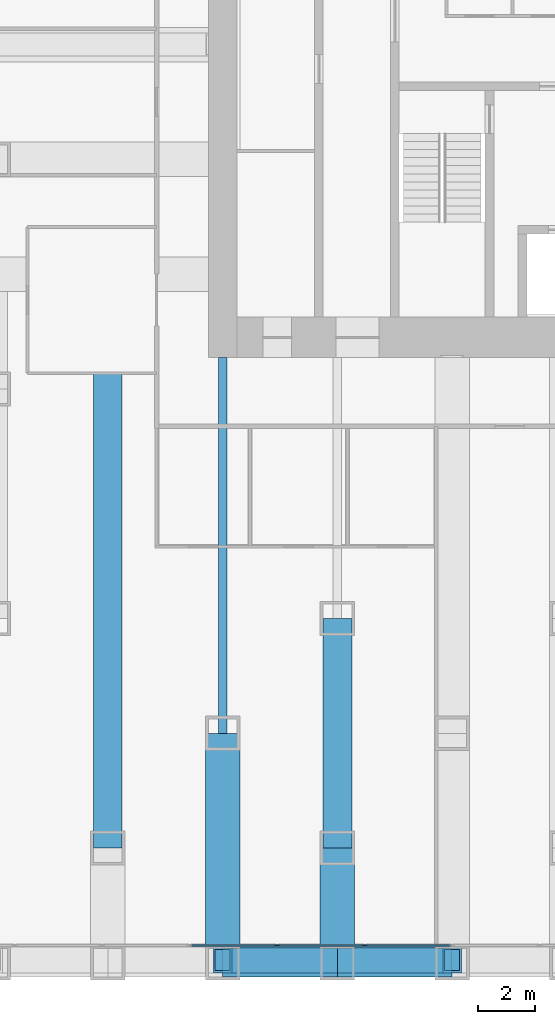
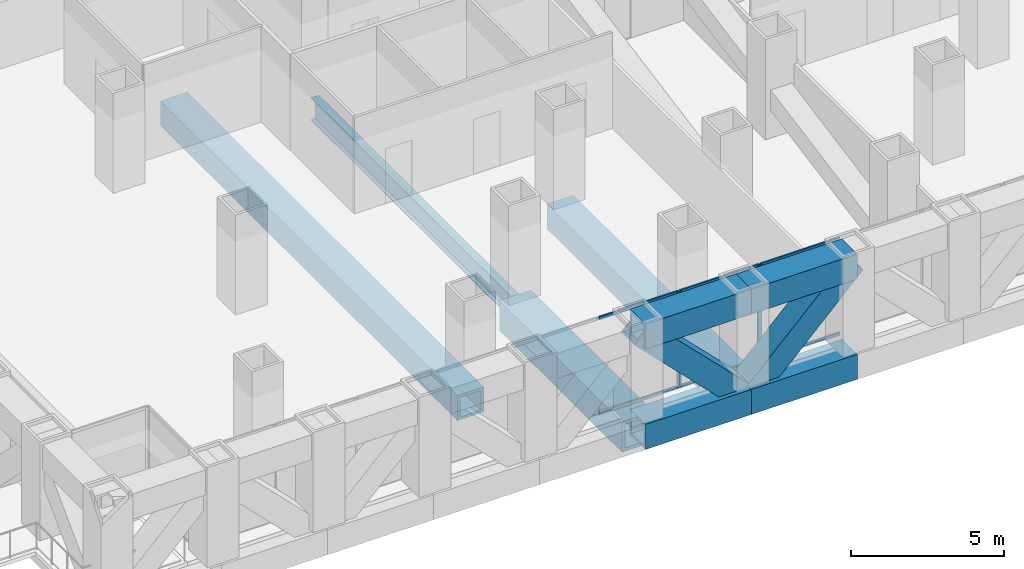
# One storey, part 3 of 18: 10 members, 9 beams, 1 element without a shape of its own.
"""IFC4 building model written with IfcOpenShell, lengths in metres."""

from ifc_helpers import new_model, si_unit, direction, frame, origin, origin_2d, place, context, subcontext, project, spatial, rectangle, hollow_rectangle, i_section, extrude, material, material_profile, profile_set, type_object, element, aggregate, save


model = new_model("IFC4")

# Units and contexts
model_context = context("Model", 3, precision=1e-05, world=origin(), true_north=direction((0.0, 1.0)))
body_context = subcontext(model_context, "Body", "Model", "MODEL_VIEW")
ifc_project = project(units=[si_unit("LENGTHUNIT", "METRE"), si_unit("AREAUNIT", "SQUARE_METRE"), si_unit("VOLUMEUNIT", "CUBIC_METRE"), si_unit("PLANEANGLEUNIT", "RADIAN"), si_unit("MASSUNIT", "GRAM", prefix="KILO")], contexts=[model_context])

# Site, building, storey
site_placement = place(None, origin())
site = spatial("IfcSite", under=ifc_project, at=site_placement, CompositionType="ELEMENT")
building_placement = place(site_placement, origin())
building = spatial("IfcBuilding", under=site, at=building_placement, Name="Rimbunsela Tower", CompositionType="ELEMENT")
storey_placement = place(building_placement, frame((0.0, 0.0, 11.0)))
storey = spatial("IfcBuildingStorey", under=building, at=storey_placement, Name="L02", CompositionType="ELEMENT", Elevation=11.0)

# Beams
ifc_material_1 = material(Name="Steel BJ 55 (fy 410 MPa)", Category="steel")
ifc_material_profile_1 = material_profile(ifc_material_1, hollow_rectangle(XDim=1.0, YDim=1.0, WallThickness=0.10009765625, at=origin_2d()), Name="BOX 1000x1000x100")
ifc_profile_set_1 = profile_set([ifc_material_profile_1], Name="Steel BJ 55 (fy 410 MPa)")
beam_type_1 = type_object("IfcBeamType", Name="Beam BOX 1000x1000x100", PredefinedType="BEAM", material=ifc_profile_set_1)
beam_1_placement = place(storey_placement, frame((14.0, 0.0, -0.64990234375), z_axis=(0.0, 1.0, 0.0), x_axis=(-1.0, 0.0, 0.0)))
element("IfcBeam", 1, at=beam_1_placement, inside=storey, type_object=beam_type_1, Name="Beam B3 L02", PredefinedType="BEAM", context=body_context, shape_type="SweptSolid", body=[
    extrude(hollow_rectangle(XDim=1.0, YDim=1.0, WallThickness=0.10009765625, at=origin_2d()), origin(), (0.0, 0.0, 1.0), 19.39990234375),
])
beam_2_placement = place(storey_placement, frame((22.0, 0.0, -0.64990234375), z_axis=(0.0, 1.0, 0.0), x_axis=(-1.0, 0.0, 0.0)))
element("IfcBeam", 2, at=beam_2_placement, inside=storey, type_object=beam_type_1, Name="Beam B3 L02", PredefinedType="BEAM", context=body_context, shape_type="SweptSolid", body=[
    extrude(hollow_rectangle(XDim=1.0, YDim=1.0, WallThickness=0.10009765625, at=origin_2d()), origin(), (0.0, 0.0, 1.0), 8.0),
])
ifc_material_2 = material(Name="Steel BJ 55 (fy 410 MPa)", Category="steel")
ifc_material_profile_2 = material_profile(ifc_material_2, hollow_rectangle(XDim=1.199951171875, YDim=1.199951171875, WallThickness=0.125, at=origin_2d()), Name="BOX 1200x1200x125")
ifc_profile_set_2 = profile_set([ifc_material_profile_2], Name="Steel BJ 55 (fy 410 MPa)")
beam_type_2 = type_object("IfcBeamType", Name="Beam BOX 1200x1200x125", PredefinedType="BEAM", material=ifc_profile_set_2)
beam_3_placement = place(storey_placement, frame((18.0, -4.0, -0.75), z_axis=(0.0, 1.0, 0.0), x_axis=(-1.0, 0.0, 0.0)))
element("IfcBeam", 3, at=beam_3_placement, inside=storey, type_object=beam_type_2, Name="Beam B4 L02", PredefinedType="BEAM", context=body_context, shape_type="SweptSolid", body=[
    extrude(hollow_rectangle(XDim=1.199951171875, YDim=1.199951171875, WallThickness=0.125, at=origin_2d()), origin(), (0.0, 0.0, 1.0), 8.0),
])
beam_4_placement = place(storey_placement, frame((22.0, -4.0, -0.75), z_axis=(0.0, 1.0, 0.0), x_axis=(-1.0, 0.0, 0.0)))
element("IfcBeam", 4, at=beam_4_placement, inside=storey, type_object=beam_type_2, Name="Beam B4 L02", PredefinedType="BEAM", context=body_context, shape_type="SweptSolid", body=[
    extrude(hollow_rectangle(XDim=1.199951171875, YDim=1.199951171875, WallThickness=0.125, at=origin_2d()), origin(), (0.0, 0.0, 1.0), 4.0),
])
ifc_material_3 = material(Name="Steel BJ 55 (fy 410 MPa)", Category="steel")
ifc_material_profile_3 = material_profile(ifc_material_3, i_section(OverallWidth=0.300048828125, OverallDepth=0.89990234375, WebThickness=0.01611328125, FlangeThickness=0.028076171875, FilletRadius=0.028076171875, at=origin_2d()), Name="H 900x300x16x28")
ifc_profile_set_3 = profile_set([ifc_material_profile_3], Name="Steel BJ 55 (fy 410 MPa)")
beam_type_3 = type_object("IfcBeamType", Name="Beam H 900x300x16x28", PredefinedType="BEAM", material=ifc_profile_set_3)
beam_5_placement = place(storey_placement, frame((18.0, 4.0, -0.60009765625), z_axis=(0.0, 1.0, 0.0), x_axis=(-1.0, 0.0, 0.0)))
element("IfcBeam", 5, at=beam_5_placement, inside=storey, type_object=beam_type_3, Name="Beam B2 L02", PredefinedType="BEAM", context=body_context, shape_type="SweptSolid", body=[
    extrude(i_section(OverallWidth=0.300048828125, OverallDepth=0.89990234375, WebThickness=0.01611328125, FlangeThickness=0.028076171875, FilletRadius=0.028076171875, at=origin_2d()), origin(), (0.0, 0.0, 1.0), 13.10009765625),
])

# Curtain wall, members
ifc_material_4 = material(Name="Aluminium curtain wall", Category="aluminium")
curtain_wall_type = type_object("IfcCurtainWallType", Name="Exoskeleton storey infill", PredefinedType="USERDEFINED", material=ifc_material_4)
curtain_wall_placement = place(storey_placement, origin())
curtain_wall = element("IfcCurtainWall", 6, at=curtain_wall_placement, inside=storey, type_object=curtain_wall_type, Name="Exoskeleton storey infill L02", ObjectType="EXOSKELETON STOREY INFILL", PredefinedType="USERDEFINED")
ifc_material_5 = material(Name="Aluminium mullion", Category="aluminium")
ifc_material_profile_4 = material_profile(ifc_material_5, rectangle(XDim=0.06005859375, YDim=0.159912109375, at=origin_2d()), Name="Mullion 60x160")
ifc_profile_set_4 = profile_set([ifc_material_profile_4], Name="Aluminium mullion")
member_type_1 = type_object("IfcMemberType", Name="Curtain wall mullion 60x160", PredefinedType="MULLION", material=ifc_profile_set_4)
member_1_placement = place(storey_placement, frame((19.89990234375, -3.39990234375, 0.0), z_axis=(0.0, 0.0, 1.0), x_axis=(0.0, 1.0, 0.0)))
member_1 = element("IfcMember", 7, at=member_1_placement, type_object=member_type_1, Name="CW2 mullion 7", PredefinedType="MULLION", context=body_context, shape_type="SweptSolid", body=[
    extrude(rectangle(XDim=0.06005859375, YDim=0.159912109375, at=origin_2d()), origin(), (0.0, 0.0, 1.0), 3.85009765625),
])
member_2_placement = place(storey_placement, frame((22.949951171875, -3.39990234375, 0.0), z_axis=(0.0, 0.0, 1.0), x_axis=(0.0, 1.0, 0.0)))
member_2 = element("IfcMember", 8, at=member_2_placement, type_object=member_type_1, Name="CW2 mullion 8", PredefinedType="MULLION", context=body_context, shape_type="SweptSolid", body=[
    extrude(rectangle(XDim=0.06005859375, YDim=0.159912109375, at=origin_2d()), origin(), (0.0, 0.0, 1.0), 3.85009765625),
])
ifc_material_6 = material(Name="Aluminium transom", Category="aluminium")
ifc_material_profile_5 = material_profile(ifc_material_6, rectangle(XDim=0.06005859375, YDim=0.1201171875, at=origin_2d()), Name="Transom 60x120")
ifc_profile_set_5 = profile_set([ifc_material_profile_5], Name="Aluminium transom")
member_type_2 = type_object("IfcMemberType", Name="Curtain wall transom 60x120", PredefinedType="USERDEFINED", material=ifc_profile_set_5)
member_3_placement = place(storey_placement, frame((16.8798828125, -3.39990234375, 0.030029296875), z_axis=(1.0, 0.0, 0.0), x_axis=(0.0, 1.0, 0.0)))
member_3 = element("IfcMember", 9, at=member_3_placement, type_object=member_type_2, Name="CW2 transom 6.1", ObjectType="TRANSOM", PredefinedType="USERDEFINED", context=body_context, shape_type="SweptSolid", body=[
    extrude(rectangle(XDim=0.06005859375, YDim=0.1201171875, at=origin_2d()), origin(), (0.0, 0.0, 1.0), 2.990234375),
])
member_4_placement = place(storey_placement, frame((16.8798828125, -3.39990234375, 3.820068359375), z_axis=(1.0, 0.0, 0.0), x_axis=(0.0, 1.0, 0.0)))
member_4 = element("IfcMember", 10, at=member_4_placement, type_object=member_type_2, Name="CW2 transom 6.2", ObjectType="TRANSOM", PredefinedType="USERDEFINED", context=body_context, shape_type="SweptSolid", body=[
    extrude(rectangle(XDim=0.06005859375, YDim=0.1201171875, at=origin_2d()), origin(), (0.0, 0.0, 1.0), 2.990234375),
])
member_5_placement = place(storey_placement, frame((19.929931640625, -3.39990234375, 0.030029296875), z_axis=(1.0, 0.0, 0.0), x_axis=(0.0, 1.0, 0.0)))
member_5 = element("IfcMember", 11, at=member_5_placement, type_object=member_type_2, Name="CW2 transom 7.1", ObjectType="TRANSOM", PredefinedType="USERDEFINED", context=body_context, shape_type="SweptSolid", body=[
    extrude(rectangle(XDim=0.06005859375, YDim=0.1201171875, at=origin_2d()), origin(), (0.0, 0.0, 1.0), 2.989990234375),
])
member_6_placement = place(storey_placement, frame((19.929931640625, -3.39990234375, 3.820068359375), z_axis=(1.0, 0.0, 0.0), x_axis=(0.0, 1.0, 0.0)))
member_6 = element("IfcMember", 12, at=member_6_placement, type_object=member_type_2, Name="CW2 transom 7.2", ObjectType="TRANSOM", PredefinedType="USERDEFINED", context=body_context, shape_type="SweptSolid", body=[
    extrude(rectangle(XDim=0.06005859375, YDim=0.1201171875, at=origin_2d()), origin(), (0.0, 0.0, 1.0), 2.989990234375),
])
member_7_placement = place(storey_placement, frame((22.97998046875, -3.39990234375, 0.030029296875), z_axis=(1.0, 0.0, 0.0), x_axis=(0.0, 1.0, 0.0)))
member_7 = element("IfcMember", 13, at=member_7_placement, type_object=member_type_2, Name="CW2 transom 8.1", ObjectType="TRANSOM", PredefinedType="USERDEFINED", context=body_context, shape_type="SweptSolid", body=[
    extrude(rectangle(XDim=0.06005859375, YDim=0.1201171875, at=origin_2d()), origin(), (0.0, 0.0, 1.0), 2.989990234375),
])
member_8_placement = place(storey_placement, frame((22.97998046875, -3.39990234375, 3.820068359375), z_axis=(1.0, 0.0, 0.0), x_axis=(0.0, 1.0, 0.0)))
member_8 = element("IfcMember", 14, at=member_8_placement, type_object=member_type_2, Name="CW2 transom 8.2", ObjectType="TRANSOM", PredefinedType="USERDEFINED", context=body_context, shape_type="SweptSolid", body=[
    extrude(rectangle(XDim=0.06005859375, YDim=0.1201171875, at=origin_2d()), origin(), (0.0, 0.0, 1.0), 2.989990234375),
])
aggregate(curtain_wall, [member_1, member_2, member_3, member_4, member_5, member_6, member_7, member_8])

# Beams
ifc_material_7 = material(Name="Steel BJ 55 (fy 410 MPa)", Category="steel")
ifc_material_profile_6 = material_profile(ifc_material_7, hollow_rectangle(XDim=1.0, YDim=1.0, WallThickness=0.10009765625, at=origin_2d()), Name="BOX 1000x1000x100")
ifc_profile_set_6 = profile_set([ifc_material_profile_6], Name="Steel BJ 55 (fy 410 MPa)")
beam_type_4 = type_object("IfcBeamType", Name="Truss chord BOX 1000x1000x100", PredefinedType="USERDEFINED", material=ifc_profile_set_6)
for number, where, z_axis, x_axis, name in (
    (15, (18.0, -4.0, 3.35009765625), (1.0, 0.0, 0.0), (0.0, 1.0, 0.0), "Truss top chord TC1 S face L02"),
    (16, (22.0, -4.0, 3.35009765625), (1.0, 0.0, 0.0), (0.0, 1.0, 0.0), "Truss top chord TC1 S face L02"),
    (17, (18.0, -4.0, -0.64990234375), (1.0, 0.0, 0.0), (0.0, 1.0, 0.0), "Truss bottom chord TC1 S face L02"),
    (18, (22.0, -4.0, -0.64990234375), (1.0, 0.0, 0.0), (0.0, 1.0, 0.0), "Truss bottom chord TC1 S face L02"),
):
    element("IfcBeam", number, at=place(storey_placement, frame(where, z_axis=z_axis, x_axis=x_axis)), inside=storey, type_object=beam_type_4, Name=name, ObjectType="TRUSS CHORD", PredefinedType="USERDEFINED", context=body_context, shape_type="SweptSolid", body=[
        extrude(hollow_rectangle(XDim=1.0, YDim=1.0, WallThickness=0.10009765625, at=origin_2d()), origin(), (0.0, 0.0, 1.0), 4.0),
    ])

# Members
ifc_material_8 = material(Name="Steel BJ 55 (fy 410 MPa)", Category="steel")
ifc_material_profile_7 = material_profile(ifc_material_8, hollow_rectangle(XDim=0.89990234375, YDim=0.89990234375, WallThickness=0.080078125, at=origin_2d()), Name="BOX 900x900x80")
ifc_profile_set_7 = profile_set([ifc_material_profile_7], Name="Steel BJ 55 (fy 410 MPa)")
member_type_3 = type_object("IfcMemberType", Name="Truss diagonal BOX 900x900x80", PredefinedType="BRACE", material=ifc_profile_set_7)
for number, where, z_axis, x_axis, name in (
    (19, (18.0, -3.89990234375, 3.35009765625), (0.707106781187, 0.0, -0.707106781187), (0.0, 1.0, 0.0), "Truss diagonal TD1 S face L02"),
    (20, (22.0, -3.89990234375, -0.64990234375), (0.707106781187, 0.0, 0.707106781187), (0.0, 1.0, 0.0), "Truss diagonal TD1 S face L02"),
):
    element("IfcMember", number, at=place(storey_placement, frame(where, z_axis=z_axis, x_axis=x_axis)), inside=storey, type_object=member_type_3, Name=name, PredefinedType="BRACE", context=body_context, shape_type="SweptSolid", body=[
        extrude(hollow_rectangle(XDim=0.89990234375, YDim=0.89990234375, WallThickness=0.080078125, at=origin_2d()), origin(), (0.0, 0.0, 1.0), 5.65673828125),
    ])

save(model, "model.ifc")
